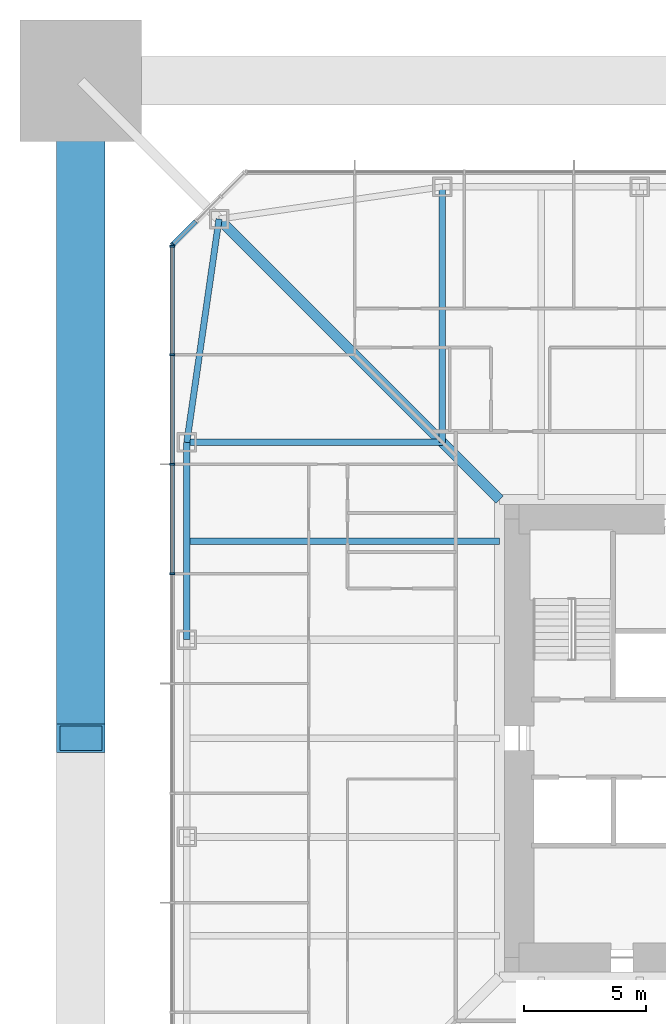
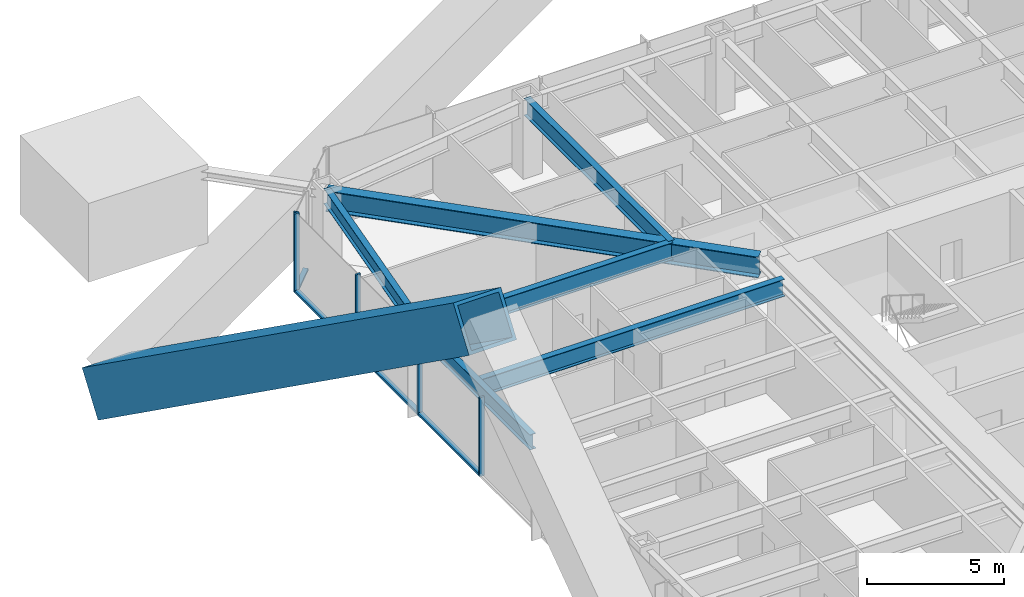
# One storey, part 7 of 28: 10 members, 6 beams, 2 elements without a shape of their own.
"""IFC4 building model written with IfcOpenShell, lengths in metres."""

from ifc_helpers import new_model, si_unit, direction, frame, origin, origin_2d, place, context, subcontext, project, spatial, rectangle, hollow_rectangle, i_section, extrude, material, material_profile, profile_set, type_object, element, aggregate, save


model = new_model("IFC4")

# Units and contexts
model_context = context("Model", 3, precision=1e-05, world=origin(), true_north=direction((0.0, 1.0)))
body_context = subcontext(model_context, "Body", "Model", "MODEL_VIEW")
ifc_project = project(units=[si_unit("LENGTHUNIT", "METRE"), si_unit("AREAUNIT", "SQUARE_METRE"), si_unit("VOLUMEUNIT", "CUBIC_METRE"), si_unit("PLANEANGLEUNIT", "RADIAN"), si_unit("MASSUNIT", "GRAM", prefix="KILO")], contexts=[model_context])

# Site, building, storey
site_placement = place(None, origin())
site = spatial("IfcSite", under=ifc_project, at=site_placement, CompositionType="ELEMENT")
building_placement = place(site_placement, origin())
building = spatial("IfcBuilding", under=site, at=building_placement, Name="Iwan Alto Co-Living Towers", CompositionType="ELEMENT")
storey_placement = place(building_placement, frame((0.0, 0.0, 43.0)))
storey = spatial("IfcBuildingStorey", under=building, at=storey_placement, Name="L11", CompositionType="ELEMENT", Elevation=43.0)

# Curtain wall, members
ifc_material_1 = material(Name="Bronze aluminium unitised frame", Category="aluminium")
curtain_wall_type_1 = type_object("IfcCurtainWallType", Name="CURTAIN WALL CW-A", PredefinedType="NOTDEFINED", material=ifc_material_1)
curtain_wall_1_placement = place(storey_placement, origin())
curtain_wall_1 = element("IfcCurtainWall", 1, at=curtain_wall_1_placement, inside=storey, type_object=curtain_wall_type_1, Name="T1 curtain wall W L11", PredefinedType="NOTDEFINED")
ifc_material_2 = material(Name="Aluminium 6063-T6 bronze anodised", Category="aluminium")
ifc_material_profile_1 = material_profile(ifc_material_2, rectangle(XDim=0.199951171875, YDim=0.080078125, at=origin_2d()), Name="AL 80X200")
ifc_profile_set_1 = profile_set([ifc_material_profile_1], Name="Aluminium 6063-T6 bronze anodised")
member_type_1 = type_object("IfcMemberType", Name="CW-A MULLION 80X200", PredefinedType="MULLION", material=ifc_profile_set_1)
member_1_placement = place(storey_placement, frame((-23.25, 20.2099609375, 0.0), z_axis=(0.0, 0.0, 1.0), x_axis=(1.0, 0.0, 0.0)))
member_1 = element("IfcMember", 2, at=member_1_placement, type_object=member_type_1, Name="CW-A mullion 1", PredefinedType="MULLION", context=body_context, shape_type="SweptSolid", body=[
    extrude(rectangle(XDim=0.199951171875, YDim=0.080078125, at=origin_2d()), origin(), (0.0, 0.0, 1.0), 3.5),
])
member_2_placement = place(storey_placement, frame((-23.25, 15.75, 0.0), z_axis=(0.0, 0.0, 1.0), x_axis=(1.0, 0.0, 0.0)))
member_2 = element("IfcMember", 3, at=member_2_placement, type_object=member_type_1, Name="CW-A mullion 2", PredefinedType="MULLION", context=body_context, shape_type="SweptSolid", body=[
    extrude(rectangle(XDim=0.199951171875, YDim=0.080078125, at=origin_2d()), origin(), (0.0, 0.0, 1.0), 3.5),
])
member_3_placement = place(storey_placement, frame((-23.25, 11.25, 0.0), z_axis=(0.0, 0.0, 1.0), x_axis=(1.0, 0.0, 0.0)))
member_3 = element("IfcMember", 4, at=member_3_placement, type_object=member_type_1, Name="CW-A mullion 3", PredefinedType="MULLION", context=body_context, shape_type="SweptSolid", body=[
    extrude(rectangle(XDim=0.199951171875, YDim=0.080078125, at=origin_2d()), origin(), (0.0, 0.0, 1.0), 3.5),
])
member_4_placement = place(storey_placement, frame((-23.25, 6.75, 0.0), z_axis=(0.0, 0.0, 1.0), x_axis=(1.0, 0.0, 0.0)))
member_4 = element("IfcMember", 5, at=member_4_placement, type_object=member_type_1, Name="CW-A mullion 4", PredefinedType="MULLION", context=body_context, shape_type="SweptSolid", body=[
    extrude(rectangle(XDim=0.199951171875, YDim=0.080078125, at=origin_2d()), origin(), (0.0, 0.0, 1.0), 3.5),
])
ifc_material_3 = material(Name="Aluminium 6063-T6 bronze anodised", Category="aluminium")
ifc_material_profile_2 = material_profile(ifc_material_3, rectangle(XDim=0.199951171875, YDim=0.10009765625, at=origin_2d()), Name="AL 200X100")
ifc_profile_set_2 = profile_set([ifc_material_profile_2], Name="Aluminium 6063-T6 bronze anodised")
member_type_2 = type_object("IfcMemberType", Name="CW-A TRANSOM 200X100", PredefinedType="USERDEFINED", material=ifc_profile_set_2)
member_5_placement = place(storey_placement, frame((-23.25, 20.169921875, 0.050048828125), z_axis=(0.0, -1.0, 0.0), x_axis=(1.0, 0.0, 0.0)))
member_5 = element("IfcMember", 6, at=member_5_placement, type_object=member_type_2, Name="CW-A transom 1.1", ObjectType="TRANSOM", PredefinedType="USERDEFINED", context=body_context, shape_type="SweptSolid", body=[
    extrude(rectangle(XDim=0.199951171875, YDim=0.10009765625, at=origin_2d()), origin(), (0.0, 0.0, 1.0), 4.3798828125),
])
member_6_placement = place(storey_placement, frame((-23.25, 15.7099609375, 0.050048828125), z_axis=(0.0, -1.0, 0.0), x_axis=(1.0, 0.0, 0.0)))
member_6 = element("IfcMember", 7, at=member_6_placement, type_object=member_type_2, Name="CW-A transom 2.1", ObjectType="TRANSOM", PredefinedType="USERDEFINED", context=body_context, shape_type="SweptSolid", body=[
    extrude(rectangle(XDim=0.199951171875, YDim=0.10009765625, at=origin_2d()), origin(), (0.0, 0.0, 1.0), 4.419921875),
])
member_7_placement = place(storey_placement, frame((-23.25, 11.2099609375, 0.050048828125), z_axis=(0.0, -1.0, 0.0), x_axis=(1.0, 0.0, 0.0)))
member_7 = element("IfcMember", 8, at=member_7_placement, type_object=member_type_2, Name="CW-A transom 3.1", ObjectType="TRANSOM", PredefinedType="USERDEFINED", context=body_context, shape_type="SweptSolid", body=[
    extrude(rectangle(XDim=0.199951171875, YDim=0.10009765625, at=origin_2d()), origin(), (0.0, 0.0, 1.0), 4.419921875),
])
aggregate(curtain_wall_1, [member_1, member_2, member_3, member_4, member_5, member_6, member_7])

ifc_material_4 = material(Name="Bronze aluminium unitised frame", Category="aluminium")
curtain_wall_type_2 = type_object("IfcCurtainWallType", Name="CURTAIN WALL CW-B", PredefinedType="NOTDEFINED", material=ifc_material_4)
curtain_wall_2_placement = place(storey_placement, origin())
curtain_wall_2 = element("IfcCurtainWall", 9, at=curtain_wall_2_placement, inside=storey, type_object=curtain_wall_type_2, Name="T1 chamfer curtain wall NW L11", PredefinedType="NOTDEFINED")
ifc_material_5 = material(Name="Aluminium 6063-T6 bronze anodised", Category="aluminium")
ifc_material_profile_3 = material_profile(ifc_material_5, rectangle(XDim=0.199951171875, YDim=0.080078125, at=origin_2d()), Name="AL 80X200")
ifc_profile_set_3 = profile_set([ifc_material_profile_3], Name="Aluminium 6063-T6 bronze anodised")
member_type_3 = type_object("IfcMemberType", Name="CW-B MULLION 80X200", PredefinedType="MULLION", material=ifc_profile_set_3)
member_8_placement = place(storey_placement, frame((-23.2216796875, 20.2783203125, 0.0), z_axis=(0.0, 0.0, 1.0), x_axis=(0.707106781187, -0.707106781187, 0.0)))
member_8 = element("IfcMember", 10, at=member_8_placement, type_object=member_type_3, Name="CW-B mullion 4", PredefinedType="MULLION", context=body_context, shape_type="SweptSolid", body=[
    extrude(rectangle(XDim=0.199951171875, YDim=0.080078125, at=origin_2d()), origin(), (0.0, 0.0, 1.0), 3.5),
])
ifc_material_6 = material(Name="Aluminium 6063-T6 bronze anodised", Category="aluminium")
ifc_material_profile_4 = material_profile(ifc_material_6, rectangle(XDim=0.199951171875, YDim=0.10009765625, at=origin_2d()), Name="AL 200X100")
ifc_profile_set_4 = profile_set([ifc_material_profile_4], Name="Aluminium 6063-T6 bronze anodised")
member_type_4 = type_object("IfcMemberType", Name="CW-B TRANSOM 200X100", PredefinedType="USERDEFINED", material=ifc_profile_set_4)
member_9_placement = place(storey_placement, frame((-22.2783203125, 21.2216796875, 0.050048828125), z_axis=(-0.707106781187, -0.707106781187, 0.0), x_axis=(0.707106781187, -0.707106781187, 0.0)))
member_9 = element("IfcMember", 11, at=member_9_placement, type_object=member_type_4, Name="CW-B transom 3.1", ObjectType="TRANSOM", PredefinedType="USERDEFINED", context=body_context, shape_type="SweptSolid", body=[
    extrude(rectangle(XDim=0.199951171875, YDim=0.10009765625, at=origin_2d()), origin(), (0.0, 0.0, 1.0), 1.2939453125),
])
aggregate(curtain_wall_2, [member_8, member_9])

# Beams
ifc_material_7 = material(Name="Steel ASTM A992 Gr 50", Category="steel")
ifc_material_profile_5 = material_profile(ifc_material_7, i_section(OverallWidth=0.419189453125, OverallDepth=0.927001953125, WebThickness=0.019287109375, FlangeThickness=0.031982421875, at=origin_2d()), Name="W36X231")
ifc_profile_set_5 = profile_set([ifc_material_profile_5], Name="Steel ASTM A992 Gr 50")
beam_type_1 = type_object("IfcBeamType", Name="T1 CORNER GIRDER W36X231", PredefinedType="BEAM", material=ifc_profile_set_5)
beam_1_placement = place(storey_placement, frame((-21.32568359375, 21.32568359375, 2.806396484375), z_axis=(0.707106781187, -0.707106781187, 0.0), x_axis=(0.707106781187, 0.707106781187, 0.0)))
element("IfcBeam", 12, at=beam_1_placement, inside=storey, type_object=beam_type_1, Name="T1 corner girder CNW L12", PredefinedType="BEAM", context=body_context, shape_type="SweptSolid", body=[
    extrude(i_section(OverallWidth=0.419189453125, OverallDepth=0.927001953125, WebThickness=0.019287109375, FlangeThickness=0.031982421875, at=origin_2d()), origin(), (0.0, 0.0, 1.0), 16.296875),
])
ifc_material_8 = material(Name="Steel ASTM A992 Gr 50", Category="steel")
ifc_material_profile_6 = material_profile(ifc_material_8, i_section(OverallWidth=0.25390625, OverallDepth=0.683349609375, WebThickness=0.012451171875, FlangeThickness=0.018798828125, at=origin_2d()), Name="W27X94")
ifc_profile_set_6 = profile_set([ifc_material_profile_6], Name="Steel ASTM A992 Gr 50")
beam_type_2 = type_object("IfcBeamType", Name="T1 EDGE BEAM W27X94", PredefinedType="BEAM", material=ifc_profile_set_6)
beam_2_placement = place(storey_placement, frame((-21.32568359375, 21.32568359375, 2.928466796875), z_axis=(-0.142836940589, -0.989746234347, 0.0), x_axis=(0.989746234347, -0.142836940589, 0.0)))
element("IfcBeam", 13, at=beam_2_placement, inside=storey, type_object=beam_type_2, Name="T1 edge beam CNW L12", PredefinedType="BEAM", context=body_context, shape_type="SweptSolid", body=[
    extrude(i_section(OverallWidth=0.25390625, OverallDepth=0.683349609375, WebThickness=0.012451171875, FlangeThickness=0.018798828125, at=origin_2d()), origin(), (0.0, 0.0, 1.0), 9.270751953125),
])
beam_3_placement = place(storey_placement, frame((-22.64990234375, 12.14990234375, 2.928466796875), z_axis=(0.0, -1.0, 0.0), x_axis=(1.0, 0.0, 0.0)))
element("IfcBeam", 14, at=beam_3_placement, inside=storey, type_object=beam_type_2, Name="T1 edge beam W1 L12", PredefinedType="BEAM", context=body_context, shape_type="SweptSolid", body=[
    extrude(i_section(OverallWidth=0.25390625, OverallDepth=0.683349609375, WebThickness=0.012451171875, FlangeThickness=0.018798828125, at=origin_2d()), origin(), (0.0, 0.0, 1.0), 8.099853515625),
])

# Member
ifc_material_9 = material(Name="Steel ASTM A572 Gr 42", Category="steel")
ifc_material_profile_7 = material_profile(ifc_material_9, hollow_rectangle(XDim=2.0, YDim=2.0, WallThickness=0.139892578125, at=origin_2d()), Name="BOX 2000X2000X140")
ifc_profile_set_7 = profile_set([ifc_material_profile_7], Name="Steel ASTM A572 Gr 42")
member_type_5 = type_object("IfcMemberType", Name="T1 MEGA BRACE BOX 2000X2000X140", PredefinedType="BRACE", material=ifc_profile_set_7)
member_10_placement = place(storey_placement, frame((-27.0, 27.0, -7.0), z_axis=(0.0, -0.814242569702, 0.580524795065), x_axis=(1.0, 0.0, 0.0)))
element("IfcMember", 15, at=member_10_placement, inside=storey, type_object=member_type_5, Name="T1 mega brace Z1B W 1 lower", PredefinedType="BRACE", context=body_context, shape_type="SweptSolid", body=[
    extrude(hollow_rectangle(XDim=2.0, YDim=2.0, WallThickness=0.139892578125, at=origin_2d()), origin(), (0.0, 0.0, 1.0), 33.15966796875),
])

# Beams
ifc_material_10 = material(Name="Steel ASTM A992 Gr 50", Category="steel")
ifc_material_profile_8 = material_profile(ifc_material_10, i_section(OverallWidth=0.2666015625, OverallDepth=0.761962890625, WebThickness=0.014404296875, FlangeThickness=0.021484375, at=origin_2d()), Name="W30X116")
ifc_profile_set_8 = profile_set([ifc_material_profile_8], Name="Steel ASTM A992 Gr 50")
beam_type_3 = type_object("IfcBeamType", Name="T1 RADIAL BEAM W30X116", PredefinedType="BEAM", material=ifc_profile_set_8)
for number, where, z_axis, x_axis, name in (
    (16, (-12.14990234375, 22.64990234375, 2.888916015625), (0.0, -1.0, 0.0), (1.0, 0.0, 0.0), "T1 radial beam N4 L12"),
    (17, (-22.64990234375, 12.14990234375, 2.888916015625), (1.0, 0.0, 0.0), (0.0, 1.0, 0.0), "T1 radial beam W1 L12"),
):
    element("IfcBeam", number, at=place(storey_placement, frame(where, z_axis=z_axis, x_axis=x_axis)), inside=storey, type_object=beam_type_3, Name=name, PredefinedType="BEAM", context=body_context, shape_type="SweptSolid", body=[
        extrude(i_section(OverallWidth=0.2666015625, OverallDepth=0.761962890625, WebThickness=0.014404296875, FlangeThickness=0.021484375, at=origin_2d()), origin(), (0.0, 0.0, 1.0), 10.5),
    ])
ifc_material_11 = material(Name="Steel ASTM A992 Gr 50", Category="steel")
ifc_material_profile_9 = material_profile(ifc_material_11, i_section(OverallWidth=0.2666015625, OverallDepth=0.761962890625, WebThickness=0.014404296875, FlangeThickness=0.021484375, at=origin_2d()), Name="W30X116")
ifc_profile_set_9 = profile_set([ifc_material_profile_9], Name="Steel ASTM A992 Gr 50")
beam_type_4 = type_object("IfcBeamType", Name="T1 SECONDARY BEAM W30X116", PredefinedType="JOIST", material=ifc_profile_set_9)
beam_4_placement = place(storey_placement, frame((-22.64990234375, 8.10009765625, 2.888916015625), z_axis=(1.0, 0.0, 0.0), x_axis=(0.0, 1.0, 0.0)))
element("IfcBeam", 18, at=beam_4_placement, inside=storey, type_object=beam_type_4, Name="T1 secondary beam W1 L12", PredefinedType="JOIST", context=body_context, shape_type="SweptSolid", body=[
    extrude(i_section(OverallWidth=0.2666015625, OverallDepth=0.761962890625, WebThickness=0.014404296875, FlangeThickness=0.021484375, at=origin_2d()), origin(), (0.0, 0.0, 1.0), 12.847900390625),
])

save(model, "model.ifc")
